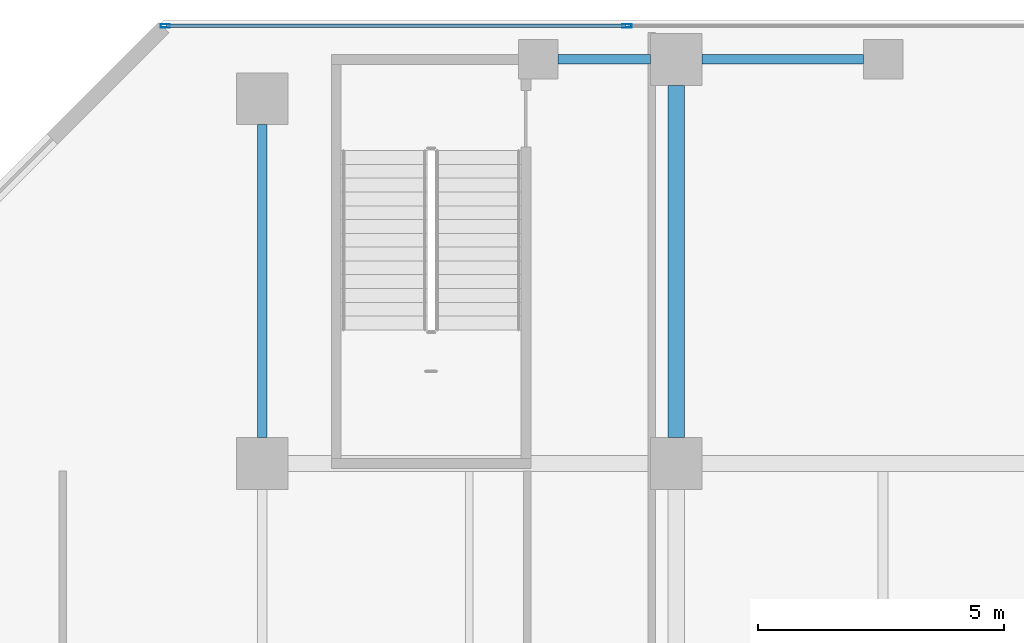
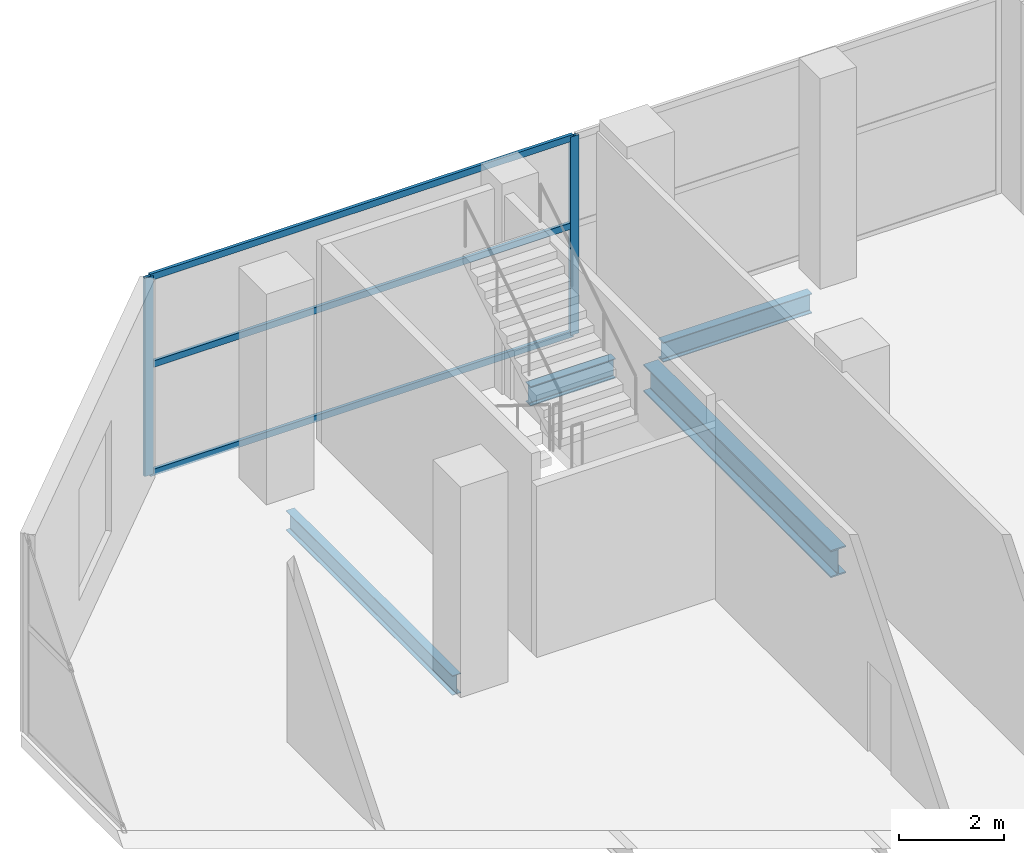
# One storey, part 20 of 39: 5 members, 4 beams, 1 element without a shape of its own.
"""IFC4 building model written with IfcOpenShell, lengths in metres."""

from ifc_helpers import new_model, si_unit, direction, frame, origin, origin_2d, place, context, subcontext, project, spatial, hollow_rectangle, i_section, extrude, material, layer, layer_set, material_profile, profile_set, type_object, element, aggregate, save


model = new_model("IFC4")

# Units and contexts
model_context = context("Model", 3, precision=1e-05, world=origin(), true_north=direction((0.0, 1.0)))
body_context = subcontext(model_context, "Body", "Model", "MODEL_VIEW")
ifc_project = project(units=[si_unit("LENGTHUNIT", "METRE"), si_unit("AREAUNIT", "SQUARE_METRE"), si_unit("VOLUMEUNIT", "CUBIC_METRE"), si_unit("PLANEANGLEUNIT", "RADIAN"), si_unit("MASSUNIT", "GRAM", prefix="KILO")], contexts=[model_context])

# Site, building, storey
site_placement = place(None, origin())
site = spatial("IfcSite", under=ifc_project, at=site_placement, CompositionType="ELEMENT")
building_placement = place(site_placement, origin())
building = spatial("IfcBuilding", under=site, at=building_placement, Name="Maruvema Waterfront Hotel and Observation Tower", CompositionType="ELEMENT")
storey_placement = place(building_placement, frame((0.0, 0.0, 16.449951171875)))
storey = spatial("IfcBuildingStorey", under=building, at=storey_placement, Name="L03", CompositionType="ELEMENT", Elevation=16.449951171875)

# Curtain wall, members
ifc_material_1 = material(Name="Anodised bronze aluminium and solar-control low-E IGU", Category="aluminium")
ifc_layer = layer(ifc_material_1, 0.159912109375, Name="Podium Waterfront Storefront Curtain Wall System CW-01")
ifc_layer_set = layer_set([ifc_layer], Name="Anodised bronze aluminium and solar-control low-E IGU")
curtain_wall_type = type_object("IfcCurtainWallType", Name="Podium Waterfront Storefront Curtain Wall System CW-01", PredefinedType="USERDEFINED", material=ifc_layer_set)
curtain_wall_placement = place(storey_placement, origin())
curtain_wall = element("IfcCurtainWall", 1, at=curtain_wall_placement, inside=storey, type_object=curtain_wall_type, Name="L03 Curtain Wall CW-L03-NW", ObjectType="UNITISED CURTAIN WALL", PredefinedType="USERDEFINED")
ifc_material_2 = material(Name="Anodised architectural bronze aluminium", Category="aluminium")
ifc_material_profile_1 = material_profile(ifc_material_2, hollow_rectangle(XDim=0.070068359375, YDim=0.14990234375, WallThickness=0.00390625, at=origin_2d()), Name="ALU-T70x150")
ifc_profile_set_1 = profile_set([ifc_material_profile_1], Name="Anodised architectural bronze aluminium")
member_type_1 = type_object("IfcMemberType", Name="Curtain Wall Horizontal Transom ALU-T70x150", PredefinedType="USERDEFINED", material=ifc_profile_set_1)
member_1_placement = place(storey_placement, frame((15.77001953125, 53.8798828125, 0.030029296875), z_axis=(-1.0, 0.0, 0.0), x_axis=(0.0, -1.0, 0.0)))
member_1 = element("IfcMember", 2, at=member_1_placement, type_object=member_type_1, Name="CW-01 transom 2.1", ObjectType="TRANSOM", PredefinedType="USERDEFINED", context=body_context, shape_type="SweptSolid", body=[
    extrude(hollow_rectangle(XDim=0.070068359375, YDim=0.14990234375, WallThickness=0.00390625, at=origin_2d()), origin(), (0.0, 0.0, 1.0), 9.31005859375),
])
member_2_placement = place(storey_placement, frame((15.77001953125, 53.8798828125, 2.550048828125), z_axis=(-1.0, 0.0, 0.0), x_axis=(0.0, -1.0, 0.0)))
member_2 = element("IfcMember", 3, at=member_2_placement, type_object=member_type_1, Name="CW-01 transom 2.2", ObjectType="TRANSOM", PredefinedType="USERDEFINED", context=body_context, shape_type="SweptSolid", body=[
    extrude(hollow_rectangle(XDim=0.070068359375, YDim=0.14990234375, WallThickness=0.00390625, at=origin_2d()), origin(), (0.0, 0.0, 1.0), 9.31005859375),
])
member_3_placement = place(storey_placement, frame((15.77001953125, 53.8798828125, 4.590087890625), z_axis=(-1.0, 0.0, 0.0), x_axis=(0.0, -1.0, 0.0)))
member_3 = element("IfcMember", 4, at=member_3_placement, type_object=member_type_1, Name="CW-01 transom 2.3", ObjectType="TRANSOM", PredefinedType="USERDEFINED", context=body_context, shape_type="SweptSolid", body=[
    extrude(hollow_rectangle(XDim=0.070068359375, YDim=0.14990234375, WallThickness=0.00390625, at=origin_2d()), origin(), (0.0, 0.0, 1.0), 9.31005859375),
])

# Beams
ifc_material_3 = material(Name="Steel ASTM A572 Grade 50", Category="steel")
ifc_material_profile_2 = material_profile(ifc_material_3, i_section(OverallWidth=0.18994140625, OverallDepth=0.45703125, WebThickness=0.009033203125, FlangeThickness=0.014404296875, FilletRadius=0.014892578125, at=origin_2d()), Name="W460x74.0")
ifc_profile_set_2 = profile_set([ifc_material_profile_2], Name="Steel ASTM A572 Grade 50")
beam_type_1 = type_object("IfcBeamType", Name="Perimeter Spandrel Beam W460x74.0", PredefinedType="SPANDREL", material=ifc_profile_set_2)
beam_1_placement = place(storey_placement, frame((14.39990234375, 53.199951171875, -0.508544921875), z_axis=(1.0, 0.0, 0.0), x_axis=(0.0, 1.0, 0.0)))
element("IfcBeam", 5, at=beam_1_placement, inside=storey, type_object=beam_type_1, Name="L03 Floor Girder EW-36", PredefinedType="SPANDREL", context=body_context, shape_type="SweptSolid", body=[
    extrude(i_section(OverallWidth=0.18994140625, OverallDepth=0.45703125, WebThickness=0.009033203125, FlangeThickness=0.014404296875, FilletRadius=0.014892578125, at=origin_2d()), origin(), (0.0, 0.0, 1.0), 1.875),
])
beam_2_placement = place(storey_placement, frame((17.324951171875, 53.199951171875, -0.508544921875), z_axis=(1.0, 0.0, 0.0), x_axis=(0.0, 1.0, 0.0)))
element("IfcBeam", 6, at=beam_2_placement, inside=storey, type_object=beam_type_1, Name="L03 Floor Girder EW-37", PredefinedType="SPANDREL", context=body_context, shape_type="SweptSolid", body=[
    extrude(i_section(OverallWidth=0.18994140625, OverallDepth=0.45703125, WebThickness=0.009033203125, FlangeThickness=0.014404296875, FilletRadius=0.014892578125, at=origin_2d()), origin(), (0.0, 0.0, 1.0), 3.275146484375),
])
beam_3_placement = place(storey_placement, frame((8.39990234375, 45.52490234375, -0.508544921875), z_axis=(0.0, 1.0, 0.0), x_axis=(-1.0, 0.0, 0.0)))
element("IfcBeam", 7, at=beam_3_placement, inside=storey, type_object=beam_type_1, Name="L03 Floor Girder NS-06", PredefinedType="SPANDREL", context=body_context, shape_type="SweptSolid", body=[
    extrude(i_section(OverallWidth=0.18994140625, OverallDepth=0.45703125, WebThickness=0.009033203125, FlangeThickness=0.014404296875, FilletRadius=0.014892578125, at=origin_2d()), origin(), (0.0, 0.0, 1.0), 6.35009765625),
])

# Member
ifc_material_4 = material(Name="Anodised architectural bronze aluminium", Category="aluminium")
ifc_material_profile_3 = material_profile(ifc_material_4, hollow_rectangle(XDim=0.070068359375, YDim=0.18994140625, WallThickness=0.00390625, at=origin_2d()), Name="ALU-M70x190")
ifc_profile_set_3 = profile_set([ifc_material_profile_3], Name="Anodised architectural bronze aluminium")
member_type_2 = type_object("IfcMemberType", Name="Podium Storefront Heavy Mullion ALU-M70x190", PredefinedType="MULLION", material=ifc_profile_set_3)
member_4_placement = place(storey_placement, frame((15.800048828125, 53.8798828125, 0.0), z_axis=(0.0, 0.0, 1.0), x_axis=(0.0, -1.0, 0.0)))
member_4 = element("IfcMember", 8, at=member_4_placement, type_object=member_type_2, Name="CW-01 mullion 2", PredefinedType="MULLION", context=body_context, shape_type="SweptSolid", body=[
    extrude(hollow_rectangle(XDim=0.070068359375, YDim=0.18994140625, WallThickness=0.00390625, at=origin_2d()), origin(), (0.0, 0.0, 1.0), 4.6201171875),
])

member_5_placement = place(storey_placement, frame((6.429931640625, 53.8798828125, 0.0), z_axis=(0.0, 0.0, 1.0), x_axis=(0.0, -1.0, 0.0)))
member_5 = element("IfcMember", 9, at=member_5_placement, type_object=member_type_2, Name="CW-01 mullion 3", PredefinedType="MULLION", context=body_context, shape_type="SweptSolid", body=[
    extrude(hollow_rectangle(XDim=0.070068359375, YDim=0.18994140625, WallThickness=0.00390625, at=origin_2d()), origin(), (0.0, 0.0, 1.0), 4.6201171875),
])

aggregate(curtain_wall, [member_4, member_5, member_1, member_2, member_3])

# Beam
ifc_material_5 = material(Name="Steel ASTM A572 Grade 50", Category="steel")
ifc_material_profile_4 = material_profile(ifc_material_5, i_section(OverallWidth=0.3291015625, OverallDepth=0.635009765625, WebThickness=0.017822265625, FlangeThickness=0.031005859375, FilletRadius=0.01806640625, at=origin_2d()), Name="W610x241.0")
ifc_profile_set_4 = profile_set([ifc_material_profile_4], Name="Steel ASTM A572 Grade 50")
beam_type_2 = type_object("IfcBeamType", Name="Primary Floor Girder W610x241.0", PredefinedType="BEAM", material=ifc_profile_set_4)
beam_4_placement = place(storey_placement, frame((16.800048828125, 45.52490234375, -0.597412109375), z_axis=(0.0, 1.0, 0.0), x_axis=(-1.0, 0.0, 0.0)))
element("IfcBeam", 10, at=beam_4_placement, inside=storey, type_object=beam_type_2, Name="L03 Floor Girder NS-12", PredefinedType="BEAM", context=body_context, shape_type="SweptSolid", body=[
    extrude(i_section(OverallWidth=0.3291015625, OverallDepth=0.635009765625, WebThickness=0.017822265625, FlangeThickness=0.031005859375, FilletRadius=0.01806640625, at=origin_2d()), origin(), (0.0, 0.0, 1.0), 7.150146484375),
])

save(model, "model.ifc")
